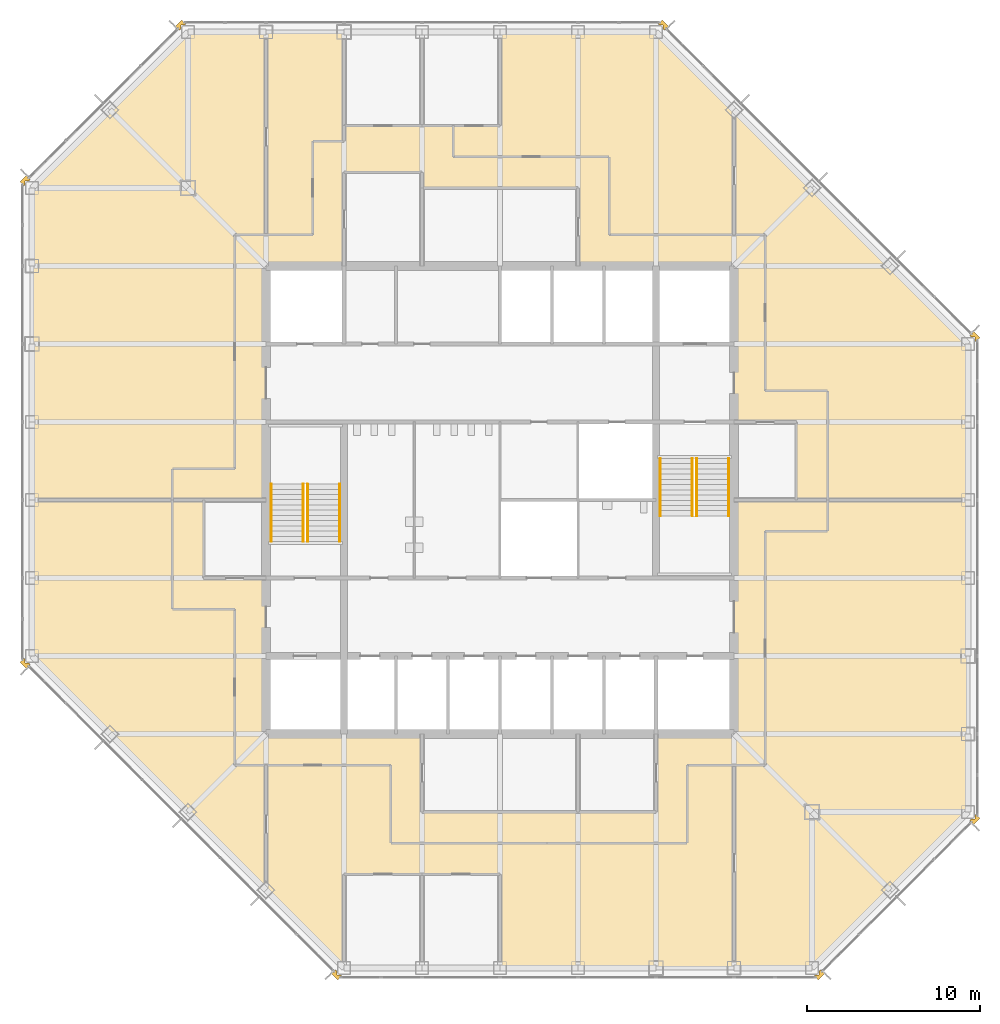
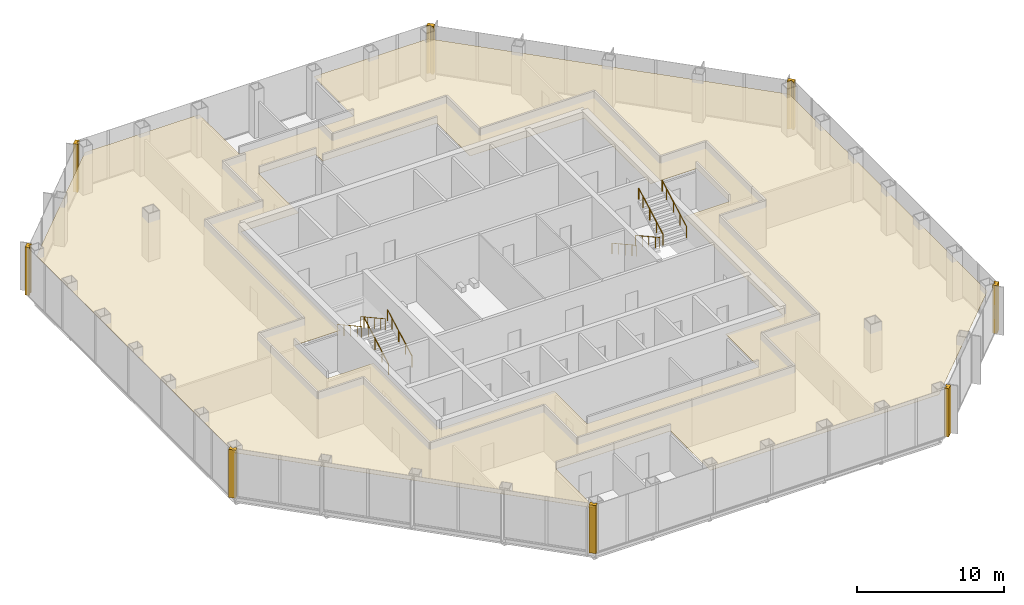
# One storey, part 12 of 13: 9 coverings, 8 railings.
"""IFC4 building model written with IfcOpenShell, lengths in metres."""

from ifc_helpers import new_model, si_unit, direction, frame, origin, origin_2d, place, context, subcontext, project, spatial, polyline, circle, outline, extrude, material, layer, layer_set, type_object, element, save


model = new_model("IFC4")

# Units and contexts
model_context = context("Model", 3, precision=1e-05, world=origin(), true_north=direction((0.0, 1.0)))
body_context = subcontext(model_context, "Body", "Model", "MODEL_VIEW")
ifc_project = project(units=[si_unit("LENGTHUNIT", "METRE"), si_unit("AREAUNIT", "SQUARE_METRE"), si_unit("VOLUMEUNIT", "CUBIC_METRE"), si_unit("PLANEANGLEUNIT", "RADIAN"), si_unit("MASSUNIT", "GRAM", prefix="KILO")], contexts=[model_context])

# Site, building, storey
site_placement = place(None, origin())
site = spatial("IfcSite", under=ifc_project, at=site_placement, CompositionType="ELEMENT")
building_placement = place(site_placement, origin())
building = spatial("IfcBuilding", under=site, at=building_placement, Name="Corais Broadcast Tower", CompositionType="ELEMENT")
storey_placement = place(building_placement, frame((0.0, 0.0, 119.60009765625)))
storey = spatial("IfcBuildingStorey", under=building, at=storey_placement, Name="L26", CompositionType="ELEMENT", Elevation=119.60009765625)

# Railings
ifc_material_1 = material(Name="Stainless steel handrail", Category="steel")
railing_type = type_object("IfcRailingType", Name="Handrail 920", PredefinedType="HANDRAIL", material=ifc_material_1)
for number, where, name in (
    (1, (17.75, 24.60009765625, 0.16650390625), "HR1 L26"),
    (2, (15.89990234375, 24.60009765625, 0.16650390625), "HR1 L26"),
):
    element("IfcRailing", number, at=place(storey_placement, frame(where)), inside=storey, type_object=railing_type, Name=name, PredefinedType="HANDRAIL", context=body_context, shape_type="SweptSolid", body=[
        extrude(circle(Radius=0.02392578125, at=origin_2d()), frame((0.0, 0.0, 0.89599609375), z_axis=(0.0, 0.875504475178, 0.483210010185), x_axis=(-1.0, 0.0, 0.0)), (0.0, 0.0, 1.0), 3.79443359375),
        extrude(circle(Radius=0.02099609375, at=origin_2d()), origin(), (0.0, 0.0, 1.0), 0.871826171875),
        extrude(circle(Radius=0.02099609375, at=origin_2d()), frame((0.0, 0.906005859375, 0.5)), (0.0, 0.0, 1.0), 0.871826171875),
        extrude(circle(Radius=0.02099609375, at=origin_2d()), frame((0.0, 1.81201171875, 1.0)), (0.0, 0.0, 1.0), 0.871826171875),
        extrude(circle(Radius=0.02099609375, at=origin_2d()), frame((0.0, 2.718017578125, 1.500244140625)), (0.0, 0.0, 1.0), 0.871826171875),
        extrude(circle(Radius=0.02099609375, at=origin_2d()), frame((0.0, 3.322021484375, 1.83349609375)), (0.0, 0.0, 1.0), 0.871826171875),
    ])
for number, where, name in (
    (3, (13.800048828125, 27.922119140625, 2.16650390625), "HR1 L26"),
    (4, (15.64990234375, 27.922119140625, 2.16650390625), "HR1 L26"),
    (5, (36.25, 29.39990234375, 0.16650390625), "HR1 L26"),
    (6, (38.10009765625, 29.39990234375, 0.16650390625), "HR1 L26"),
):
    element("IfcRailing", number, at=place(storey_placement, frame(where)), inside=storey, type_object=railing_type, Name=name, PredefinedType="HANDRAIL", context=body_context, shape_type="SweptSolid", body=[
        extrude(circle(Radius=0.02392578125, at=origin_2d()), frame((0.0, 0.0, 0.89599609375), z_axis=(0.0, -0.875504475178, 0.483210010185), x_axis=(1.0, 0.0, 0.0)), (0.0, 0.0, 1.0), 3.79443359375),
        extrude(circle(Radius=0.02099609375, at=origin_2d()), origin(), (0.0, 0.0, 1.0), 0.871826171875),
        extrude(circle(Radius=0.02099609375, at=origin_2d()), frame((0.0, -0.906005859375, 0.5)), (0.0, 0.0, 1.0), 0.871826171875),
        extrude(circle(Radius=0.02099609375, at=origin_2d()), frame((0.0, -1.81201171875, 1.0)), (0.0, 0.0, 1.0), 0.871826171875),
        extrude(circle(Radius=0.02099609375, at=origin_2d()), frame((0.0, -2.718017578125, 1.500244140625)), (0.0, 0.0, 1.0), 0.871826171875),
        extrude(circle(Radius=0.02099609375, at=origin_2d()), frame((0.0, -3.322021484375, 1.83349609375)), (0.0, 0.0, 1.0), 0.871826171875),
    ])
for number, where, name in (
    (7, (40.199951171875, 26.077880859375, 2.16650390625), "HR1 L26"),
    (8, (38.35009765625, 26.077880859375, 2.16650390625), "HR1 L26"),
):
    element("IfcRailing", number, at=place(storey_placement, frame(where)), inside=storey, type_object=railing_type, Name=name, PredefinedType="HANDRAIL", context=body_context, shape_type="SweptSolid", body=[
        extrude(circle(Radius=0.02392578125, at=origin_2d()), frame((0.0, 0.0, 0.89599609375), z_axis=(0.0, 0.875504475178, 0.483210010185), x_axis=(-1.0, 0.0, 0.0)), (0.0, 0.0, 1.0), 3.79443359375),
        extrude(circle(Radius=0.02099609375, at=origin_2d()), origin(), (0.0, 0.0, 1.0), 0.871826171875),
        extrude(circle(Radius=0.02099609375, at=origin_2d()), frame((0.0, 0.906005859375, 0.5)), (0.0, 0.0, 1.0), 0.871826171875),
        extrude(circle(Radius=0.02099609375, at=origin_2d()), frame((0.0, 1.81201171875, 1.0)), (0.0, 0.0, 1.0), 0.871826171875),
        extrude(circle(Radius=0.02099609375, at=origin_2d()), frame((0.0, 2.718017578125, 1.500244140625)), (0.0, 0.0, 1.0), 0.871826171875),
        extrude(circle(Radius=0.02099609375, at=origin_2d()), frame((0.0, 3.322021484375, 1.83349609375)), (0.0, 0.0, 1.0), 0.871826171875),
    ])

# Coverings
ifc_material_2 = material(Name="Granite stone cladding", Category="masonry")
ifc_layer_1 = layer(ifc_material_2, 0.324951171875)
ifc_layer_set_1 = layer_set([ifc_layer_1], Name="Granite stone cladding")
covering_type_1 = type_object("IfcCoveringType", Name="Stone corner pier cladding 500x325", PredefinedType="CLADDING", material=ifc_layer_set_1)
covering_1_placement = place(storey_placement, origin())
element("IfcCovering", 9, at=covering_1_placement, inside=storey, type_object=covering_type_1, Name="SP1 stone corner pier L26", PredefinedType="CLADDING", context=body_context, shape_type="SweptSolid", body=[
    extrude(outline(polyline([(17.860595703125, -0.461669921875), (17.799072265625, -0.39990234375), (17.60009765625, -0.39990234375), (17.60009765625, -0.200927734375), (17.507080078125, -0.108154296875), (17.277099609375, -0.337890625), (17.630859375, -0.69140625), (17.860595703125, -0.461669921875)])), origin(), (0.0, 0.0, 1.0), 4.0),
])
covering_2_placement = place(storey_placement, origin())
element("IfcCovering", 10, at=covering_2_placement, inside=storey, type_object=covering_type_1, Name="SP1 stone corner pier L26", PredefinedType="CLADDING", context=body_context, shape_type="SweptSolid", body=[
    extrude(outline(polyline([(-0.39990234375, 17.799072265625), (-0.461669921875, 17.860595703125), (-0.69140625, 17.630859375), (-0.337890625, 17.277099609375), (-0.108154296875, 17.507080078125), (-0.200927734375, 17.60009765625), (-0.39990234375, 17.60009765625), (-0.39990234375, 17.799072265625)])), origin(), (0.0, 0.0, 1.0), 4.0),
])
covering_3_placement = place(storey_placement, origin())
element("IfcCovering", 11, at=covering_3_placement, inside=storey, type_object=covering_type_1, Name="SP1 stone corner pier L26", PredefinedType="CLADDING", context=body_context, shape_type="SweptSolid", body=[
    extrude(outline(polyline([(-0.461669921875, 45.139404296875), (-0.39990234375, 45.200927734375), (-0.39990234375, 45.39990234375), (-0.200927734375, 45.39990234375), (-0.108154296875, 45.492919921875), (-0.337890625, 45.722900390625), (-0.69140625, 45.369140625), (-0.461669921875, 45.139404296875)])), origin(), (0.0, 0.0, 1.0), 4.0),
])
covering_4_placement = place(storey_placement, origin())
element("IfcCovering", 12, at=covering_4_placement, inside=storey, type_object=covering_type_1, Name="SP1 stone corner pier L26", PredefinedType="CLADDING", context=body_context, shape_type="SweptSolid", body=[
    extrude(outline(polyline([(8.799072265625, 54.39990234375), (8.860595703125, 54.461669921875), (8.630859375, 54.69140625), (8.277099609375, 54.337890625), (8.507080078125, 54.108154296875), (8.60009765625, 54.200927734375), (8.60009765625, 54.39990234375), (8.799072265625, 54.39990234375)])), origin(), (0.0, 0.0, 1.0), 4.0),
])
covering_5_placement = place(storey_placement, origin())
element("IfcCovering", 13, at=covering_5_placement, inside=storey, type_object=covering_type_1, Name="SP1 stone corner pier L26", PredefinedType="CLADDING", context=body_context, shape_type="SweptSolid", body=[
    extrude(outline(polyline([(36.139404296875, 54.461669921875), (36.200927734375, 54.39990234375), (36.39990234375, 54.39990234375), (36.39990234375, 54.200927734375), (36.492919921875, 54.108154296875), (36.722900390625, 54.337890625), (36.369140625, 54.69140625), (36.139404296875, 54.461669921875)])), origin(), (0.0, 0.0, 1.0), 4.0),
])
covering_6_placement = place(storey_placement, origin())
element("IfcCovering", 14, at=covering_6_placement, inside=storey, type_object=covering_type_1, Name="SP1 stone corner pier L26", PredefinedType="CLADDING", context=body_context, shape_type="SweptSolid", body=[
    extrude(outline(polyline([(54.39990234375, 36.200927734375), (54.461669921875, 36.139404296875), (54.69140625, 36.369140625), (54.337890625, 36.722900390625), (54.108154296875, 36.492919921875), (54.200927734375, 36.39990234375), (54.39990234375, 36.39990234375), (54.39990234375, 36.200927734375)])), origin(), (0.0, 0.0, 1.0), 4.0),
])
covering_7_placement = place(storey_placement, origin())
element("IfcCovering", 15, at=covering_7_placement, inside=storey, type_object=covering_type_1, Name="SP1 stone corner pier L26", PredefinedType="CLADDING", context=body_context, shape_type="SweptSolid", body=[
    extrude(outline(polyline([(54.461669921875, 8.860595703125), (54.39990234375, 8.799072265625), (54.39990234375, 8.60009765625), (54.200927734375, 8.60009765625), (54.108154296875, 8.507080078125), (54.337890625, 8.277099609375), (54.69140625, 8.630859375), (54.461669921875, 8.860595703125)])), origin(), (0.0, 0.0, 1.0), 4.0),
])
covering_8_placement = place(storey_placement, origin())
element("IfcCovering", 16, at=covering_8_placement, inside=storey, type_object=covering_type_1, Name="SP1 stone corner pier L26", PredefinedType="CLADDING", context=body_context, shape_type="SweptSolid", body=[
    extrude(outline(polyline([(45.200927734375, -0.39990234375), (45.139404296875, -0.461669921875), (45.369140625, -0.69140625), (45.722900390625, -0.337890625), (45.492919921875, -0.108154296875), (45.39990234375, -0.200927734375), (45.39990234375, -0.39990234375), (45.200927734375, -0.39990234375)])), origin(), (0.0, 0.0, 1.0), 4.0),
])
ifc_material_3 = material(Name="Mineral fibre ceiling tile", Category="mineral")
ifc_layer_2 = layer(ifc_material_3, 0.02001953125)
ifc_layer_set_2 = layer_set([ifc_layer_2], Name="Mineral fibre ceiling tile")
covering_type_2 = type_object("IfcCoveringType", Name="Suspended ceiling", PredefinedType="CEILING", material=ifc_layer_set_2)
covering_9_placement = place(storey_placement, frame((0.0, 0.0, 3.219970703125)))
element("IfcCovering", 17, at=covering_9_placement, inside=storey, type_object=covering_type_2, Name="CE1 ceiling L26", PredefinedType="CEILING", context=body_context, shape_type="SweptSolid", body=[
    extrude(outline(polyline([(13.501708984375, 4.498291015625), (13.499755859375, 4.500244140625), (0.0, 18.0), (0.0, 45.0), (9.0, 54.0), (18.0, 54.0), (18.0, 48.60009765625), (27.0, 48.60009765625), (27.0, 54.0), (36.0, 54.0), (54.0, 36.0), (54.0, 9.0), (45.0, 0.0), (27.0, 0.0), (27.0, 5.39990234375), (18.0, 5.39990234375), (18.0, 0.0), (13.501708984375, 4.498291015625)]), holes=[polyline([(9.89990234375, 22.5), (13.5, 22.5), (13.5, 13.5), (22.5, 13.5), (22.5, 9.0), (36.0, 9.0), (36.0, 13.5), (40.5, 13.5), (40.5, 26.99951171875), (44.10009765625, 26.99951171875), (44.10009765625, 31.5), (40.5, 31.5), (40.5, 40.5), (31.5, 40.5), (31.5, 45.0), (22.5, 45.0), (22.5, 45.89990234375), (18.0, 45.89990234375), (18.0, 40.5), (13.5, 40.5), (13.5, 27.00048828125), (9.89990234375, 27.00048828125), (9.89990234375, 22.5)])]), origin(), (0.0, 0.0, 1.0), 0.02001953125),
])

save(model, "model.ifc")
